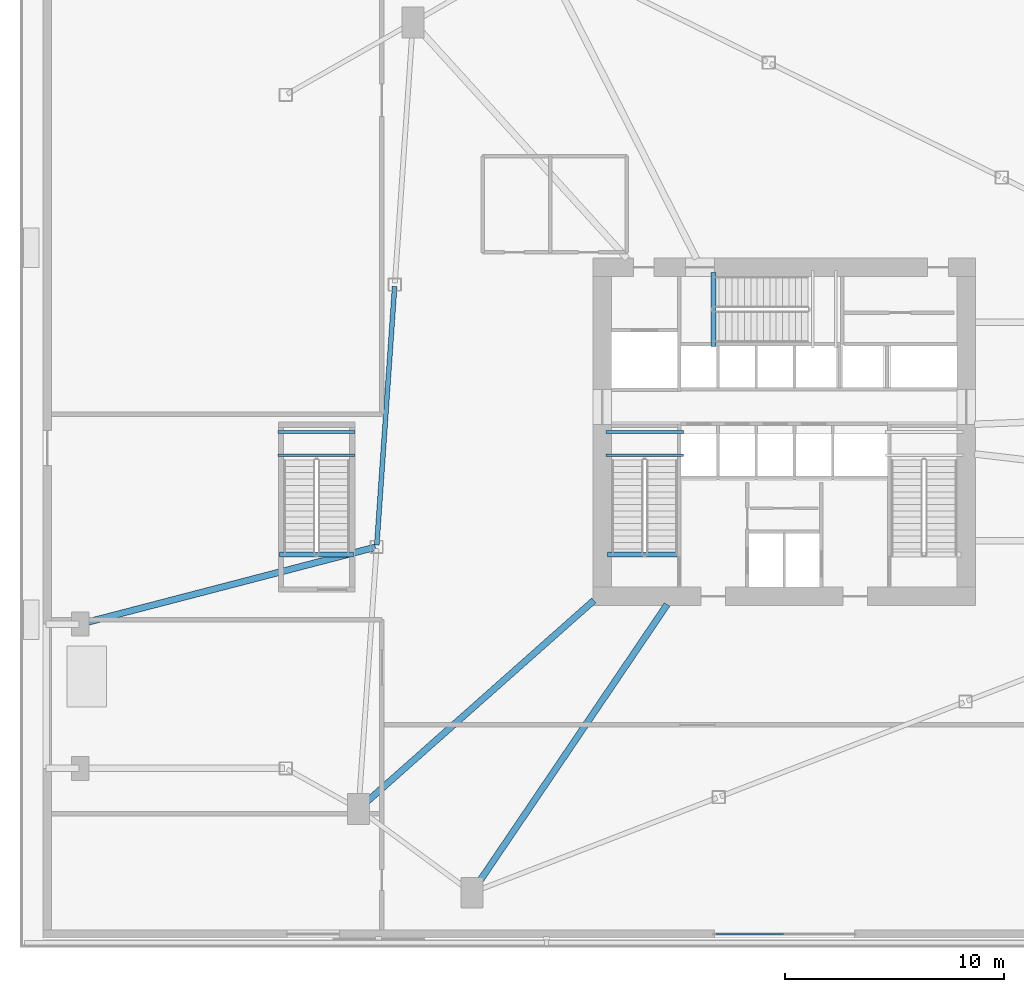
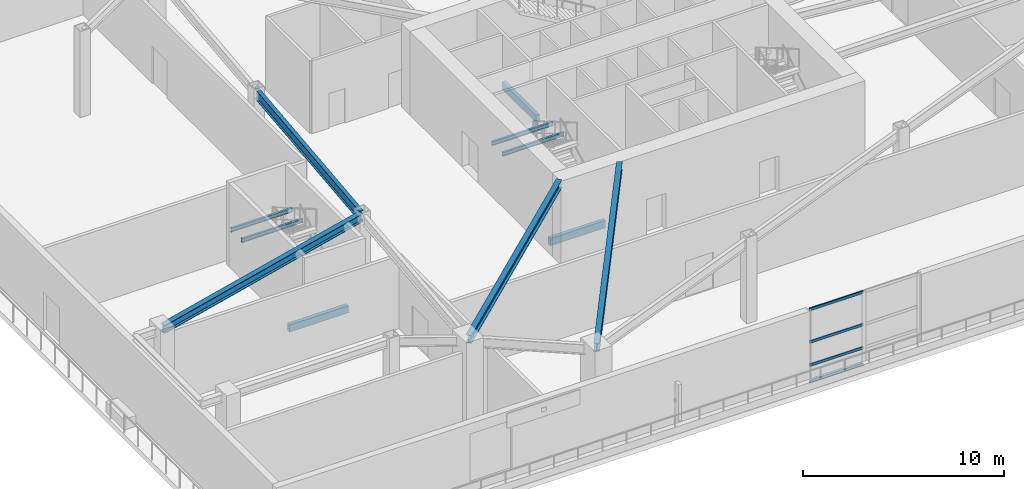
# One storey, part 3 of 15: 11 beams, 4 members, 1 element without a shape of its own.
"""IFC4 building model written with IfcOpenShell, lengths in metres."""

from ifc_helpers import new_model, si_unit, direction, frame, origin, origin_2d, place, context, subcontext, project, spatial, rectangle, hollow_rectangle, i_section, extrude, source, transform, mapped, material, material_profile, profile_set, type_object, element, aggregate, save


model = new_model("IFC4")

# Units and contexts
model_context = context("Model", 3, precision=1e-05, world=origin(), true_north=direction((0.0, 1.0)))
body_context = subcontext(model_context, "Body", "Model", "MODEL_VIEW")
ifc_project = project(units=[si_unit("LENGTHUNIT", "METRE"), si_unit("AREAUNIT", "SQUARE_METRE"), si_unit("VOLUMEUNIT", "CUBIC_METRE"), si_unit("PLANEANGLEUNIT", "RADIAN"), si_unit("MASSUNIT", "GRAM", prefix="KILO")], contexts=[model_context])

# Site, building, storey
site_placement = place(None, origin())
site = spatial("IfcSite", under=ifc_project, at=site_placement, CompositionType="ELEMENT")
building_placement = place(site_placement, origin())
building = spatial("IfcBuilding", under=site, at=building_placement, Name="Olszyna Solenne Hotel", CompositionType="ELEMENT")
storey_placement = place(building_placement, frame((0.0, 0.0, 10.199951171875)))
storey = spatial("IfcBuildingStorey", under=building, at=storey_placement, Name="L02", CompositionType="ELEMENT", Elevation=10.199951171875)

# Beams
ifc_material_1 = material(Name="Steel S355J2", Category="steel")
ifc_material_profile_1 = material_profile(ifc_material_1, i_section(OverallWidth=0.300048828125, OverallDepth=0.489990234375, WebThickness=0.011962890625, FlangeThickness=0.02294921875, at=origin_2d()), Name="HEA 500", Category="load-bearing")
ifc_profile_set_1 = profile_set([ifc_material_profile_1], Name="Steel S355J2")
beam_type_1 = type_object("IfcBeamType", Name="BM-G1", PredefinedType="BEAM", material=ifc_profile_set_1)
shared_shape_1 = source(origin(), body_context, "Body", "SweptSolid", [
    extrude(i_section(OverallWidth=0.300048828125, OverallDepth=0.489990234375, WebThickness=0.011962890625, FlangeThickness=0.02294921875, at=origin_2d()), origin(), (0.0, 0.0, 1.0), 14.293701171875),
])
beam_1_placement = place(storey_placement, frame((18.591552734375, 9.394287109375, 4.8349609375), z_axis=(0.748292597606, 0.663368817754, 0.0), x_axis=(-0.663368817754, 0.748292597606, 0.0)))
element("IfcBeam", 1, at=beam_1_placement, inside=storey, type_object=beam_type_1, Name="Podium radial girder BM-G1 B-L02-0098", PredefinedType="BEAM", context=body_context, shape_type="MappedRepresentation", body=[
    mapped(shared_shape_1, transform((0.0, 0.0, 0.0), x_axis=(1.0, 0.0, 0.0), y_axis=(0.0, 1.0, 0.0), z_axis=(0.0, 0.0, 1.0), scale=1.0)),
])
shared_shape_2 = source(origin(), body_context, "Body", "SweptSolid", [
    extrude(i_section(OverallWidth=0.300048828125, OverallDepth=0.489990234375, WebThickness=0.011962890625, FlangeThickness=0.02294921875, at=origin_2d()), origin(), (0.0, 0.0, 1.0), 15.830810546875),
])
beam_2_placement = place(storey_placement, frame((23.75927734375, 5.58642578125, 4.8349609375), z_axis=(0.561001243255, 0.827814958228, 0.0), x_axis=(-0.827814958228, 0.561001243255, 0.0)))
element("IfcBeam", 2, at=beam_2_placement, inside=storey, type_object=beam_type_1, Name="Podium radial girder BM-G1 B-L02-0100", PredefinedType="BEAM", context=body_context, shape_type="MappedRepresentation", body=[
    mapped(shared_shape_2, transform((0.0, 0.0, 0.0), x_axis=(1.0, 0.0, 0.0), y_axis=(0.0, 1.0, 0.0), z_axis=(0.0, 0.0, 1.0), scale=1.0)),
])
shared_shape_3 = source(origin(), body_context, "Body", "SweptSolid", [
    extrude(i_section(OverallWidth=0.300048828125, OverallDepth=0.489990234375, WebThickness=0.011962890625, FlangeThickness=0.02294921875, at=origin_2d()), origin(), (0.0, 0.0, 1.0), 13.891357421875),
])
beam_3_placement = place(storey_placement, frame((5.858154296875, 17.815185546875, 4.8349609375), z_axis=(0.967734190158, 0.251973286677, 0.0), x_axis=(-0.251973286677, 0.967734190158, 0.0)))
element("IfcBeam", 3, at=beam_3_placement, inside=storey, type_object=beam_type_1, Name="Terrace West interior back-span girder BM-G1 B-L02-0103", PredefinedType="BEAM", context=body_context, shape_type="MappedRepresentation", body=[
    mapped(shared_shape_3, transform((0.0, 0.0, 0.0), x_axis=(1.0, 0.0, 0.0), y_axis=(0.0, 1.0, 0.0), z_axis=(0.0, 0.0, 1.0), scale=1.0)),
])
ifc_material_profile_2 = material_profile(ifc_material_1, i_section(OverallWidth=0.219970703125, OverallDepth=0.60009765625, WebThickness=0.011962890625, FlangeThickness=0.01904296875, at=origin_2d()), Name="IPE 600", Category="load-bearing")
ifc_profile_set_2 = profile_set([ifc_material_profile_2], Name="Steel S355J2")
beam_type_2 = type_object("IfcBeamType", Name="BM-F1", PredefinedType="BEAM", material=ifc_profile_set_2)
shared_shape_4 = source(origin(), body_context, "Body", "SweptSolid", [
    extrude(i_section(OverallWidth=0.219970703125, OverallDepth=0.60009765625, WebThickness=0.011962890625, FlangeThickness=0.01904296875, at=origin_2d()), origin(), (0.0, 0.0, 1.0), 11.85791015625),
])
beam_4_placement = place(storey_placement, frame((20.181396484375, 33.240234375, 4.780029296875), z_axis=(-0.068869217947, -0.997625696752, 0.0), x_axis=(0.997625696752, -0.068869217947, 0.0)))
element("IfcBeam", 4, at=beam_4_placement, inside=storey, type_object=beam_type_2, Name="Podium ring girder BM-F1 BRG-L02-42", PredefinedType="BEAM", context=body_context, shape_type="MappedRepresentation", body=[
    mapped(shared_shape_4, transform((0.0, 0.0, 0.0), x_axis=(1.0, 0.0, 0.0), y_axis=(0.0, 1.0, 0.0), z_axis=(0.0, 0.0, 1.0), scale=1.0)),
])

# Curtain wall, members
ifc_material_2 = material(Name="Anodised bronze aluminium", Category="aluminium")
curtain_wall_type = type_object("IfcCurtainWallType", Name="CW-SYS-1", PredefinedType="NOTDEFINED", material=ifc_material_2)
curtain_wall_placement = place(storey_placement, origin())
curtain_wall = element("IfcCurtainWall", 5, at=curtain_wall_placement, inside=storey, type_object=curtain_wall_type, Name="Unitised curtain wall CW-SYS-1 CW-L02-01", PredefinedType="NOTDEFINED")
ifc_material_profile_3 = material_profile(ifc_material_2, hollow_rectangle(XDim=0.074951171875, YDim=0.159912109375, WallThickness=0.00390625, at=origin_2d()), Name="TRAN 160x75x4", Category="load-bearing")
ifc_profile_set_3 = profile_set([ifc_material_profile_3], Name="Anodised bronze aluminium")
member_type = type_object("IfcMemberType", Name="CW-T1", PredefinedType="USERDEFINED", material=ifc_profile_set_3)
shared_shape_5 = source(origin(), body_context, "Body", "SweptSolid", [
    extrude(hollow_rectangle(XDim=0.074951171875, YDim=0.159912109375, WallThickness=0.00390625, at=origin_2d()), origin(), (0.0, 0.0, 1.0), 3.080078125),
])
member_1_placement = place(storey_placement, frame((34.8798828125, 3.6298828125, 0.03759765625), z_axis=(1.0, 0.0, 0.0), x_axis=(0.0, 1.0, 0.0)))
member_1 = element("IfcMember", 6, at=member_1_placement, type_object=member_type, Name="Curtain-wall transom CW-T1 CT-L02-01-01", ObjectType="TRANSOM", PredefinedType="USERDEFINED", context=body_context, shape_type="MappedRepresentation", body=[
    mapped(shared_shape_5, transform((0.0, 0.0, 0.0), x_axis=(1.0, 0.0, 0.0), y_axis=(0.0, 1.0, 0.0), z_axis=(0.0, 0.0, 1.0), scale=1.0)),
])
member_2_placement = place(storey_placement, frame((34.8798828125, 3.6298828125, 1.050048828125), z_axis=(1.0, 0.0, 0.0), x_axis=(0.0, 1.0, 0.0)))
member_2 = element("IfcMember", 7, at=member_2_placement, type_object=member_type, Name="Curtain-wall transom CW-T1 CT-L02-01-02", ObjectType="TRANSOM", PredefinedType="USERDEFINED", context=body_context, shape_type="MappedRepresentation", body=[
    mapped(shared_shape_5, transform((0.0, 0.0, 0.0), x_axis=(1.0, 0.0, 0.0), y_axis=(0.0, 1.0, 0.0), z_axis=(0.0, 0.0, 1.0), scale=1.0)),
])
member_3_placement = place(storey_placement, frame((34.8798828125, 3.6298828125, 2.459716796875), z_axis=(1.0, 0.0, 0.0), x_axis=(0.0, 1.0, 0.0)))
member_3 = element("IfcMember", 8, at=member_3_placement, type_object=member_type, Name="Curtain-wall transom CW-T1 CT-L02-01-03", ObjectType="TRANSOM", PredefinedType="USERDEFINED", context=body_context, shape_type="MappedRepresentation", body=[
    mapped(shared_shape_5, transform((0.0, 0.0, 0.0), x_axis=(1.0, 0.0, 0.0), y_axis=(0.0, 1.0, 0.0), z_axis=(0.0, 0.0, 1.0), scale=1.0)),
])
member_4_placement = place(storey_placement, frame((34.8798828125, 3.6298828125, 4.4345703125), z_axis=(1.0, 0.0, 0.0), x_axis=(0.0, 1.0, 0.0)))
member_4 = element("IfcMember", 9, at=member_4_placement, type_object=member_type, Name="Curtain-wall transom CW-T1 CT-L02-01-04", ObjectType="TRANSOM", PredefinedType="USERDEFINED", context=body_context, shape_type="MappedRepresentation", body=[
    mapped(shared_shape_5, transform((0.0, 0.0, 0.0), x_axis=(1.0, 0.0, 0.0), y_axis=(0.0, 1.0, 0.0), z_axis=(0.0, 0.0, 1.0), scale=1.0)),
])
aggregate(curtain_wall, [member_1, member_2, member_3, member_4])

# Beams
ifc_material_profile_4 = material_profile(ifc_material_1, i_section(OverallWidth=0.1201171875, OverallDepth=0.239990234375, WebThickness=0.006103515625, FlangeThickness=0.009765625, at=origin_2d()), Name="IPE 240", Category="load-bearing")
ifc_profile_set_4 = profile_set([ifc_material_profile_4], Name="Steel S355J2")
beam_type_3 = type_object("IfcBeamType", Name="JS-03", PredefinedType="JOIST", material=ifc_profile_set_4)
shared_shape_6 = source(origin(), body_context, "Body", "SweptSolid", [
    extrude(i_section(OverallWidth=0.1201171875, OverallDepth=0.239990234375, WebThickness=0.006103515625, FlangeThickness=0.009765625, at=origin_2d()), origin(), (0.0, 0.0, 1.0), 3.539794921875),
])
for number, where, z_axis, x_axis, name in (
    (10, (33.3798828125, 25.52001953125, 2.375), (-1.0, 0.0, 0.0), (0.0, -1.0, 0.0), "Stair landing support beam JS-03 SLB-ST1-0009"),
    (11, (33.3798828125, 26.580078125, 2.375), (-1.0, 0.0, 0.0), (0.0, -1.0, 0.0), "Stair landing support beam JS-03 SLB-ST1-0010"),
    (12, (18.3798828125, 25.52001953125, 2.375), (-1.0, 0.0, 0.0), (0.0, -1.0, 0.0), "Stair landing support beam JS-03 SLB-ST4-0722"),
    (13, (18.3798828125, 26.580078125, 2.375), (-1.0, 0.0, 0.0), (0.0, -1.0, 0.0), "Stair landing support beam JS-03 SLB-ST4-0723"),
):
    element("IfcBeam", number, at=place(storey_placement, frame(where, z_axis=z_axis, x_axis=x_axis)), inside=storey, type_object=beam_type_3, Name=name, PredefinedType="JOIST", context=body_context, shape_type="MappedRepresentation", body=[
        mapped(shared_shape_6, transform((0.0, 0.0, 0.0), x_axis=(1.0, 0.0, 0.0), y_axis=(0.0, 1.0, 0.0), z_axis=(0.0, 0.0, 1.0), scale=1.0)),
    ])
ifc_material_3 = material(Name="Concrete C50/60", Category="concrete")
ifc_material_profile_5 = material_profile(ifc_material_3, rectangle(XDim=0.219970703125, YDim=0.43994140625, at=origin_2d()), Name="RC 220x440", Category="load-bearing")
ifc_profile_set_5 = profile_set([ifc_material_profile_5], Name="Concrete C50/60")
beam_type_4 = type_object("IfcBeamType", Name="BM-ST1", PredefinedType="BEAM", material=ifc_profile_set_5)
shared_shape_7 = source(origin(), body_context, "Body", "SweptSolid", [
    extrude(rectangle(XDim=0.219970703125, YDim=0.43994140625, at=origin_2d()), origin(), (0.0, 0.0, 1.0), 3.18017578125),
])
beam_5_placement = place(storey_placement, frame((33.10009765625, 20.97998046875, -0.204833984375), z_axis=(-1.0, 0.0, 0.0), x_axis=(0.0, -1.0, 0.0)))
element("IfcBeam", 14, at=beam_5_placement, inside=storey, type_object=beam_type_4, Name="Concrete stair trimmer beam BM-ST1 SHB-ST1-0164", PredefinedType="BEAM", context=body_context, shape_type="MappedRepresentation", body=[
    mapped(shared_shape_7, transform((0.0, 0.0, 0.0), x_axis=(1.0, 0.0, 0.0), y_axis=(0.0, 1.0, 0.0), z_axis=(0.0, 0.0, 1.0), scale=1.0)),
])
shared_shape_8 = source(origin(), body_context, "Body", "SweptSolid", [
    extrude(rectangle(XDim=0.219970703125, YDim=0.43994140625, at=origin_2d()), origin(), (0.0, 0.0, 1.0), 3.3798828125),
])
beam_6_placement = place(storey_placement, frame((34.760009765625, 30.5, -0.204833984375), z_axis=(0.0, 1.0, 0.0), x_axis=(-1.0, 0.0, 0.0)))
element("IfcBeam", 15, at=beam_6_placement, inside=storey, type_object=beam_type_4, Name="Concrete stair trimmer beam BM-ST1 SHB-ST3-0642", PredefinedType="BEAM", context=body_context, shape_type="MappedRepresentation", body=[
    mapped(shared_shape_8, transform((0.0, 0.0, 0.0), x_axis=(1.0, 0.0, 0.0), y_axis=(0.0, 1.0, 0.0), z_axis=(0.0, 0.0, 1.0), scale=1.0)),
])
shared_shape_9 = source(origin(), body_context, "Body", "SweptSolid", [
    extrude(rectangle(XDim=0.219970703125, YDim=0.43994140625, at=origin_2d()), origin(), (0.0, 0.0, 1.0), 3.380126953125),
])
beam_7_placement = place(storey_placement, frame((18.300048828125, 20.97998046875, -0.204833984375), z_axis=(-1.0, 0.0, 0.0), x_axis=(0.0, -1.0, 0.0)))
element("IfcBeam", 16, at=beam_7_placement, inside=storey, type_object=beam_type_4, Name="Concrete stair trimmer beam BM-ST1 SHB-ST4-0728", PredefinedType="BEAM", context=body_context, shape_type="MappedRepresentation", body=[
    mapped(shared_shape_9, transform((0.0, 0.0, 0.0), x_axis=(1.0, 0.0, 0.0), y_axis=(0.0, 1.0, 0.0), z_axis=(0.0, 0.0, 1.0), scale=1.0)),
])

save(model, "model.ifc")
